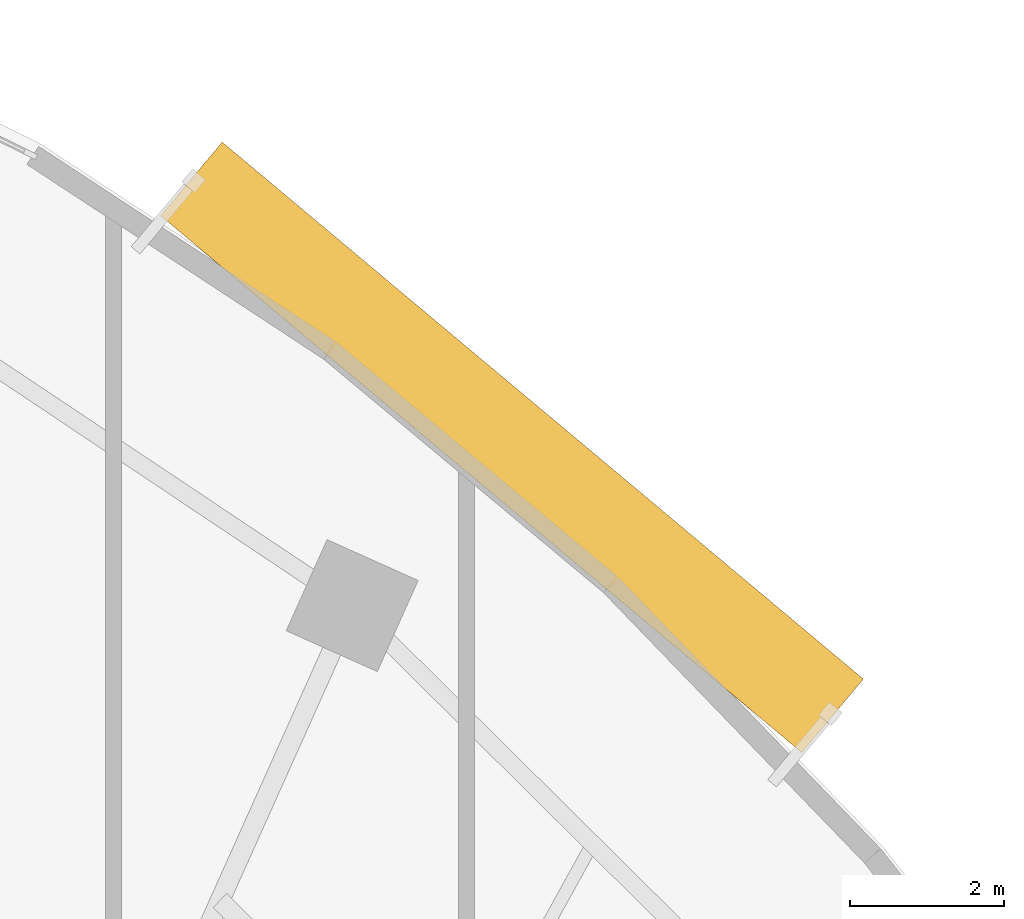
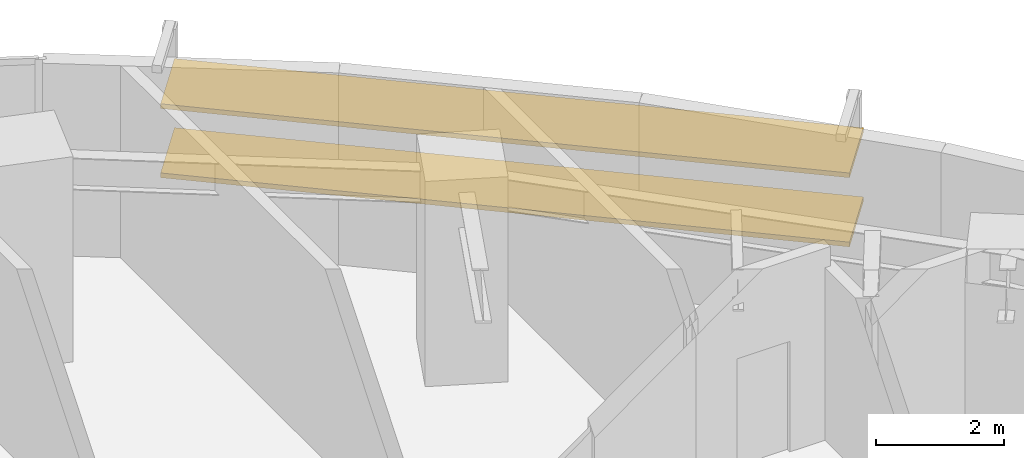
# One storey, part 14 of 14: 2 shading devices.
"""IFC4 building model written with IfcOpenShell, lengths in metres."""

from ifc_helpers import new_model, si_unit, direction, frame, origin, origin_2d, place, context, subcontext, project, spatial, rectangle, extrude, source, transform, mapped, material, material_profile, profile_set, type_object, element, save


model = new_model("IFC4")

# Units and contexts
model_context = context("Model", 3, precision=1e-05, world=origin(), true_north=direction((0.0, 1.0)))
body_context = subcontext(model_context, "Body", "Model", "MODEL_VIEW")
ifc_project = project(units=[si_unit("LENGTHUNIT", "METRE"), si_unit("AREAUNIT", "SQUARE_METRE"), si_unit("VOLUMEUNIT", "CUBIC_METRE"), si_unit("PLANEANGLEUNIT", "RADIAN"), si_unit("MASSUNIT", "GRAM", prefix="KILO")], contexts=[model_context])

# Site, building, storey
site_placement = place(None, origin())
site = spatial("IfcSite", under=ifc_project, at=site_placement, CompositionType="ELEMENT")
building_placement = place(site_placement, origin())
building = spatial("IfcBuilding", under=site, at=building_placement, Name="Breltana Convention Tower", CompositionType="ELEMENT")
storey_placement = place(building_placement, frame((0.0, 0.0, 135.0)))
storey = spatial("IfcBuildingStorey", under=building, at=storey_placement, Name="L32", CompositionType="ELEMENT", Elevation=135.0)

# Shading devices
ifc_material = material(Name="Limestone Warm Buff Honed", Category="masonry")
ifc_material_profile = material_profile(ifc_material, rectangle(XDim=1.25, YDim=0.090087890625, at=origin_2d()), Name="STN-LVR-1250X90")
ifc_profile_set = profile_set([ifc_material_profile], Name="Limestone Warm Buff Honed")
shading_device_type = type_object("IfcShadingDeviceType", Name="SHD-OUTER-SKIN-LIMESTONE-1250", PredefinedType="JALOUSIE", material=ifc_profile_set)
shared_shape = source(origin(), body_context, "Body", "SweptSolid", [
    extrude(rectangle(XDim=1.25, YDim=0.090087890625, at=origin_2d()), origin(), (0.0, 0.0, 1.0), 10.892333984375),
])
for number, where, z_axis, x_axis, name in (
    (1, (66.81591796875, 74.190673828125, 1.31396484375), (0.766718160057, -0.641983849515, 0.0), (0.641983849515, 0.766718160057, 0.0), "L32 outer skin warm limestone louvre 2.1"),
    (2, (66.81591796875, 74.190673828125, 2.6279296875), (0.766718160057, -0.641983849515, 0.0), (0.641983849515, 0.766718160057, 0.0), "L32 outer skin warm limestone louvre 2.2"),
):
    element("IfcShadingDevice", number, at=place(storey_placement, frame(where, z_axis=z_axis, x_axis=x_axis)), inside=storey, type_object=shading_device_type, Name=name, PredefinedType="JALOUSIE", context=body_context, shape_type="MappedRepresentation", body=[
        mapped(shared_shape, transform((0.0, 0.0, 0.0), scale=1.0)),
    ])

save(model, "model.ifc")
